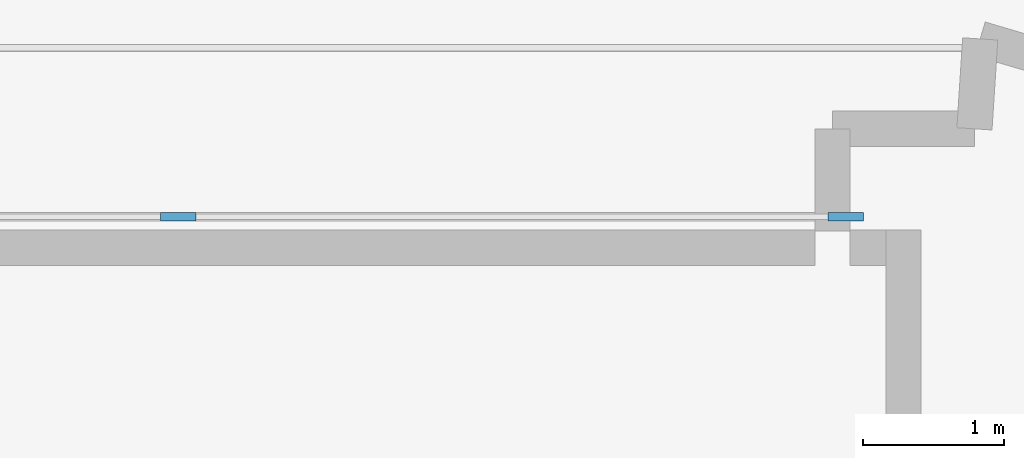
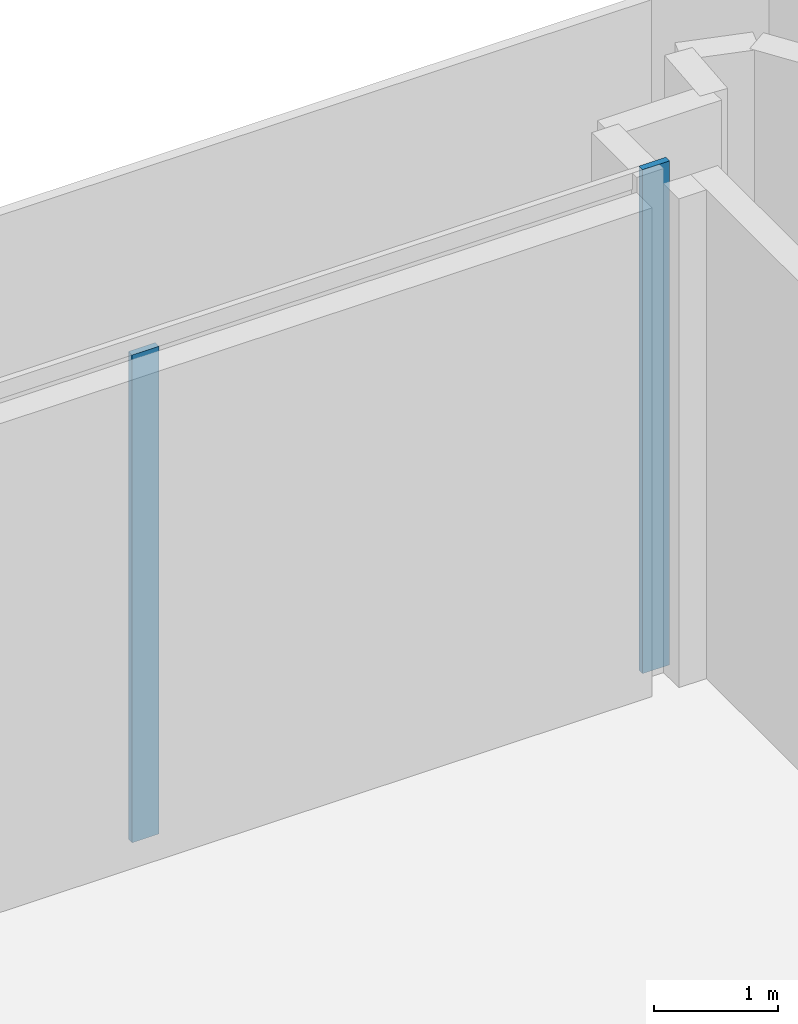
# One storey, part 10 of 30: 2 members, 1 element without a shape of its own.
"""IFC4 building model written with IfcOpenShell, lengths in metres."""

from ifc_helpers import new_model, si_unit, direction, frame, origin, origin_2d, place, context, subcontext, project, spatial, rectangle, extrude, material, layer, layer_set, material_profile, profile_set, type_object, element, aggregate, save


model = new_model("IFC4")

# Units and contexts
model_context = context("Model", 3, precision=1e-05, world=origin(), true_north=direction((0.0, 1.0)))
body_context = subcontext(model_context, "Body", "Model", "MODEL_VIEW")
ifc_project = project(units=[si_unit("LENGTHUNIT", "METRE"), si_unit("AREAUNIT", "SQUARE_METRE"), si_unit("VOLUMEUNIT", "CUBIC_METRE"), si_unit("PLANEANGLEUNIT", "RADIAN"), si_unit("MASSUNIT", "GRAM", prefix="KILO")], contexts=[model_context])

# Site, building, storey
site_placement = place(None, origin())
site = spatial("IfcSite", under=ifc_project, at=site_placement, CompositionType="ELEMENT")
building_placement = place(site_placement, origin())
building = spatial("IfcBuilding", under=site, at=building_placement, Name="Kheshtan School and Residences Tower", CompositionType="ELEMENT")
storey_placement = place(building_placement, frame((0.0, 0.0, 89.0)))
storey = spatial("IfcBuildingStorey", under=building, at=storey_placement, Name="L20", CompositionType="ELEMENT", Elevation=89.0)

# Curtain wall, members
ifc_material_1 = material(Name="Clear low-e glass in thermally broken aluminium frame", Category="aluminium")
ifc_layer = layer(ifc_material_1, 0.25)
ifc_layer_set = layer_set([ifc_layer], Name="Curtain wall CW-G")
curtain_wall_type = type_object("IfcCurtainWallType", Name="Curtain wall CW-G", PredefinedType="NOTDEFINED", material=ifc_layer_set)
curtain_wall_placement = place(storey_placement, origin())
curtain_wall = element("IfcCurtainWall", 1, at=curtain_wall_placement, inside=storey, type_object=curtain_wall_type, Name="Curtain wall CWG5c", PredefinedType="NOTDEFINED")
ifc_material_2 = material(Name="Thermally broken aluminium, dark bronze anodised", Category="aluminium")
ifc_material_profile = material_profile(ifc_material_2, rectangle(XDim=0.06005859375, YDim=0.25, at=origin_2d()), Name="CW-G mullion 60x250")
ifc_profile_set = profile_set([ifc_material_profile], Name="Thermally broken aluminium, dark bronze anodised")
member_type = type_object("IfcMemberType", Name="CW-G mullion 60x250", PredefinedType="MULLION", material=ifc_profile_set)
member_1_placement = place(storey_placement, frame((94.6259765625, 44.0, 0.0), z_axis=(0.0, 0.0, 1.0), x_axis=(0.0, 1.0, 0.0)))
member_1 = element("IfcMember", 2, at=member_1_placement, type_object=member_type, Name="CWG5c mullion 5", PredefinedType="MULLION", context=body_context, shape_type="SweptSolid", body=[
    extrude(rectangle(XDim=0.06005859375, YDim=0.25, at=origin_2d()), origin(), (0.0, 0.0, 1.0), 4.7900390625),
])
member_2_placement = place(storey_placement, frame((99.3701171875, 44.0, 0.0), z_axis=(0.0, 0.0, 1.0), x_axis=(0.0, 1.0, 0.0)))
member_2 = element("IfcMember", 3, at=member_2_placement, type_object=member_type, Name="CWG5c mullion 6", PredefinedType="MULLION", context=body_context, shape_type="SweptSolid", body=[
    extrude(rectangle(XDim=0.06005859375, YDim=0.25, at=origin_2d()), origin(), (0.0, 0.0, 1.0), 4.949951171875),
])
aggregate(curtain_wall, [member_1, member_2])

save(model, "model.ifc")
